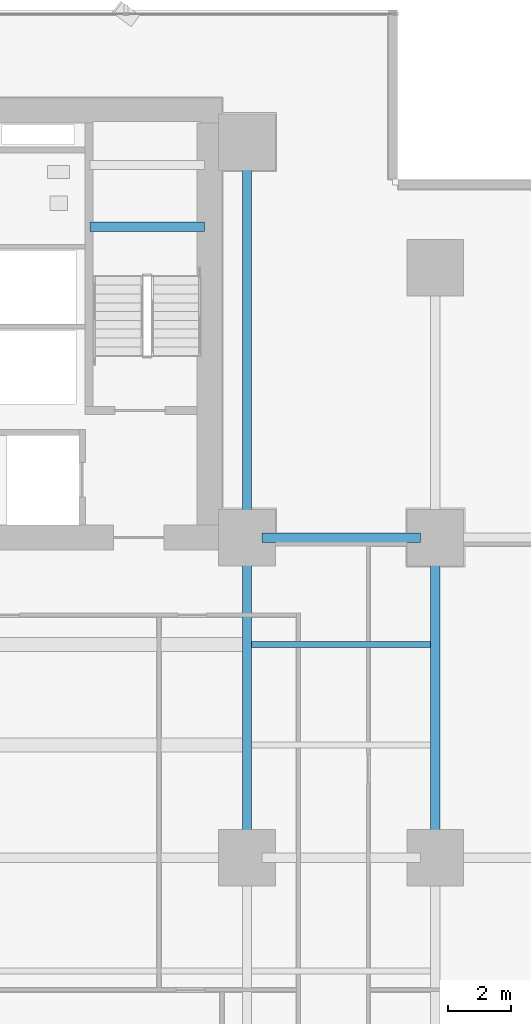
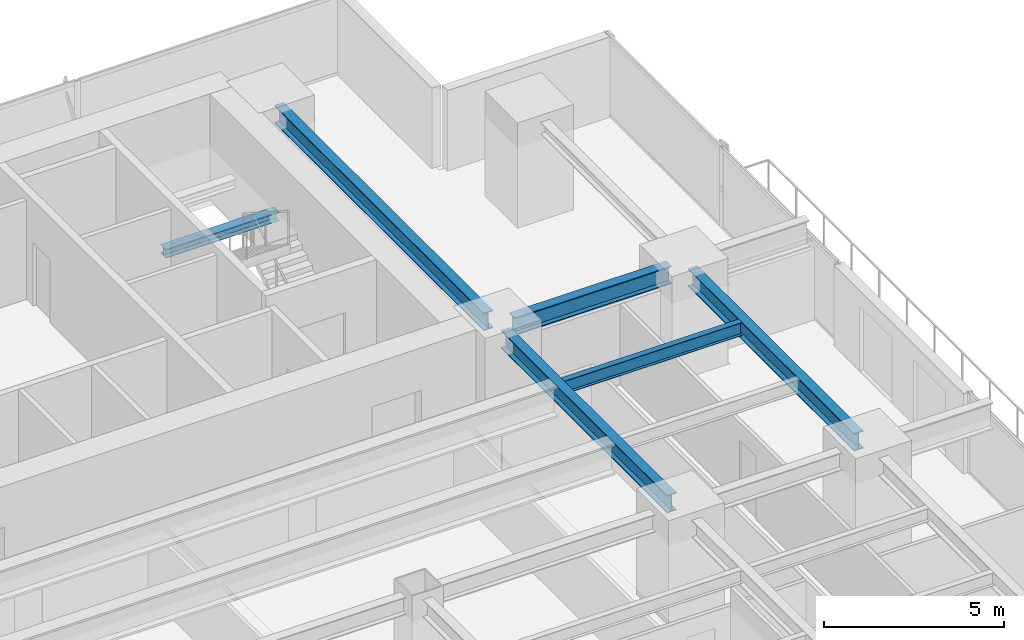
# One storey, part 20 of 33: 6 beams.
"""IFC4 building model written with IfcOpenShell, lengths in metres."""

from ifc_helpers import new_model, si_unit, direction, frame, origin, origin_2d, place, context, subcontext, project, spatial, i_section, extrude, source, transform, mapped, material, material_profile, profile_set, type_object, element, save


model = new_model("IFC4")

# Units and contexts
model_context = context("Model", 3, precision=1e-05, world=origin(), true_north=direction((0.0, 1.0)))
body_context = subcontext(model_context, "Body", "Model", "MODEL_VIEW")
ifc_project = project(units=[si_unit("LENGTHUNIT", "METRE"), si_unit("AREAUNIT", "SQUARE_METRE"), si_unit("VOLUMEUNIT", "CUBIC_METRE"), si_unit("PLANEANGLEUNIT", "RADIAN"), si_unit("MASSUNIT", "GRAM", prefix="KILO")], contexts=[model_context])

# Site, building, storey
site_placement = place(None, origin())
site = spatial("IfcSite", under=ifc_project, at=site_placement, CompositionType="ELEMENT")
building_placement = place(site_placement, origin())
building = spatial("IfcBuilding", under=site, at=building_placement, Name="Sumidabori Civic Tower", CompositionType="ELEMENT")
storey_placement = place(building_placement, frame((0.0, 0.0, 23.60009765625)))
storey = spatial("IfcBuildingStorey", under=building, at=storey_placement, Name="L05", CompositionType="ELEMENT", Elevation=23.60009765625)

# Beams
ifc_material = material(Name="Steel SN490", Category="steel")
ifc_material_profile_1 = material_profile(ifc_material, i_section(OverallWidth=0.300048828125, OverallDepth=0.300048828125, WebThickness=0.010986328125, FlangeThickness=0.01904296875, at=origin_2d()), Name="HE 300 B")
ifc_profile_set_1 = profile_set([ifc_material_profile_1], Name="Steel SN490")
beam_type_1 = type_object("IfcBeamType", Name="BM-LDG-300", PredefinedType="BEAM", material=ifc_profile_set_1)
shared_shape_1 = source(origin(), body_context, "Body", "SweptSolid", [
    extrude(i_section(OverallWidth=0.300048828125, OverallDepth=0.300048828125, WebThickness=0.010986328125, FlangeThickness=0.01904296875, at=origin_2d()), origin(), (0.0, 0.0, 1.0), 3.64990234375),
])
beam_1_placement = place(storey_placement, frame((11.800048828125, 20.09765625, 1.449951171875), z_axis=(1.0, 0.0, 0.0), x_axis=(0.0, 1.0, 0.0)))
element("IfcBeam", 1, at=beam_1_placement, inside=storey, type_object=beam_type_1, Name="Stair ST-2 Landing Support Beam L05-1A", PredefinedType="BEAM", context=body_context, shape_type="MappedRepresentation", body=[
    mapped(shared_shape_1, transform((0.0, 0.0, 0.0), x_axis=(1.0, 0.0, 0.0), y_axis=(0.0, 1.0, 0.0), z_axis=(0.0, 0.0, 1.0), scale=1.0)),
])
ifc_material_profile_2 = material_profile(ifc_material, i_section(OverallWidth=0.300048828125, OverallDepth=0.60009765625, WebThickness=0.015380859375, FlangeThickness=0.030029296875, at=origin_2d()), Name="HE 600 B")
ifc_profile_set_2 = profile_set([ifc_material_profile_2], Name="Steel SN490")
beam_type_2 = type_object("IfcBeamType", Name="BM-GIRD-600", PredefinedType="BEAM", material=ifc_profile_set_2)
shared_shape_2 = source(origin(), body_context, "Body", "SweptSolid", [
    extrude(i_section(OverallWidth=0.300048828125, OverallDepth=0.60009765625, WebThickness=0.015380859375, FlangeThickness=0.030029296875, at=origin_2d()), origin(), (0.0, 0.0, 1.0), 5.0400390625),
])
beam_2_placement = place(storey_placement, frame((17.280029296875, 10.199951171875, 3.059814453125), z_axis=(1.0, 0.0, 0.0), x_axis=(0.0, 1.0, 0.0)))
element("IfcBeam", 2, at=beam_2_placement, inside=storey, type_object=beam_type_2, Name="Primary Girder L05 GX-20", PredefinedType="BEAM", context=body_context, shape_type="MappedRepresentation", body=[
    mapped(shared_shape_2, transform((0.0, 0.0, 0.0), x_axis=(1.0, 0.0, 0.0), y_axis=(0.0, 1.0, 0.0), z_axis=(0.0, 0.0, 1.0), scale=1.0)),
])
shared_shape_3 = source(origin(), body_context, "Body", "SweptSolid", [
    extrude(i_section(OverallWidth=0.300048828125, OverallDepth=0.60009765625, WebThickness=0.015380859375, FlangeThickness=0.030029296875, at=origin_2d()), origin(), (0.0, 0.0, 1.0), 9.239990234375),
])
for number, where, z_axis, x_axis, name in (
    (3, (16.800048828125, 0.47998046875, 3.059814453125), (0.0, 1.0, 0.0), (-1.0, 0.0, 0.0), "Primary Girder L05 GY-37"),
    (4, (22.800048828125, 0.47998046875, 3.059814453125), (0.0, 1.0, 0.0), (-1.0, 0.0, 0.0), "Primary Girder L05 GY-41"),
):
    element("IfcBeam", number, at=place(storey_placement, frame(where, z_axis=z_axis, x_axis=x_axis)), inside=storey, type_object=beam_type_2, Name=name, PredefinedType="BEAM", context=body_context, shape_type="MappedRepresentation", body=[
        mapped(shared_shape_3, transform((0.0, 0.0, 0.0), x_axis=(1.0, 0.0, 0.0), y_axis=(0.0, 1.0, 0.0), z_axis=(0.0, 0.0, 1.0), scale=1.0)),
    ])
shared_shape_4 = source(origin(), body_context, "Body", "SweptSolid", [
    extrude(i_section(OverallWidth=0.300048828125, OverallDepth=0.60009765625, WebThickness=0.015380859375, FlangeThickness=0.030029296875, at=origin_2d()), origin(), (0.0, 0.0, 1.0), 11.64013671875),
])
beam_3_placement = place(storey_placement, frame((16.800048828125, 10.679931640625, 3.059814453125), z_axis=(0.0, 1.0, 0.0), x_axis=(-1.0, 0.0, 0.0)))
element("IfcBeam", 5, at=beam_3_placement, inside=storey, type_object=beam_type_2, Name="Primary Girder L05 GY-38", PredefinedType="BEAM", context=body_context, shape_type="MappedRepresentation", body=[
    mapped(shared_shape_4, transform((0.0, 0.0, 0.0), x_axis=(1.0, 0.0, 0.0), y_axis=(0.0, 1.0, 0.0), z_axis=(0.0, 0.0, 1.0), scale=1.0)),
])
ifc_material_profile_3 = material_profile(ifc_material, i_section(OverallWidth=0.18994140625, OverallDepth=0.449951171875, WebThickness=0.009521484375, FlangeThickness=0.0146484375, at=origin_2d()), Name="IPE 450")
ifc_profile_set_3 = profile_set([ifc_material_profile_3], Name="Steel SN490")
beam_type_3 = type_object("IfcBeamType", Name="BM-JST-450", PredefinedType="JOIST", material=ifc_profile_set_3)
shared_shape_5 = source(origin(), body_context, "Body", "SweptSolid", [
    extrude(i_section(OverallWidth=0.18994140625, OverallDepth=0.449951171875, WebThickness=0.009521484375, FlangeThickness=0.0146484375, at=origin_2d()), origin(), (0.0, 0.0, 1.0), 5.699951171875),
])
beam_4_placement = place(storey_placement, frame((16.949951171875, 6.800048828125, 3.135009765625), z_axis=(1.0, 0.0, 0.0), x_axis=(0.0, 1.0, 0.0)))
element("IfcBeam", 6, at=beam_4_placement, inside=storey, type_object=beam_type_3, Name="Outer Bay Floor Joist L05 JSTO-56", PredefinedType="JOIST", context=body_context, shape_type="MappedRepresentation", body=[
    mapped(shared_shape_5, transform((0.0, 0.0, 0.0), x_axis=(1.0, 0.0, 0.0), y_axis=(0.0, 1.0, 0.0), z_axis=(0.0, 0.0, 1.0), scale=1.0)),
])

save(model, "model.ifc")
